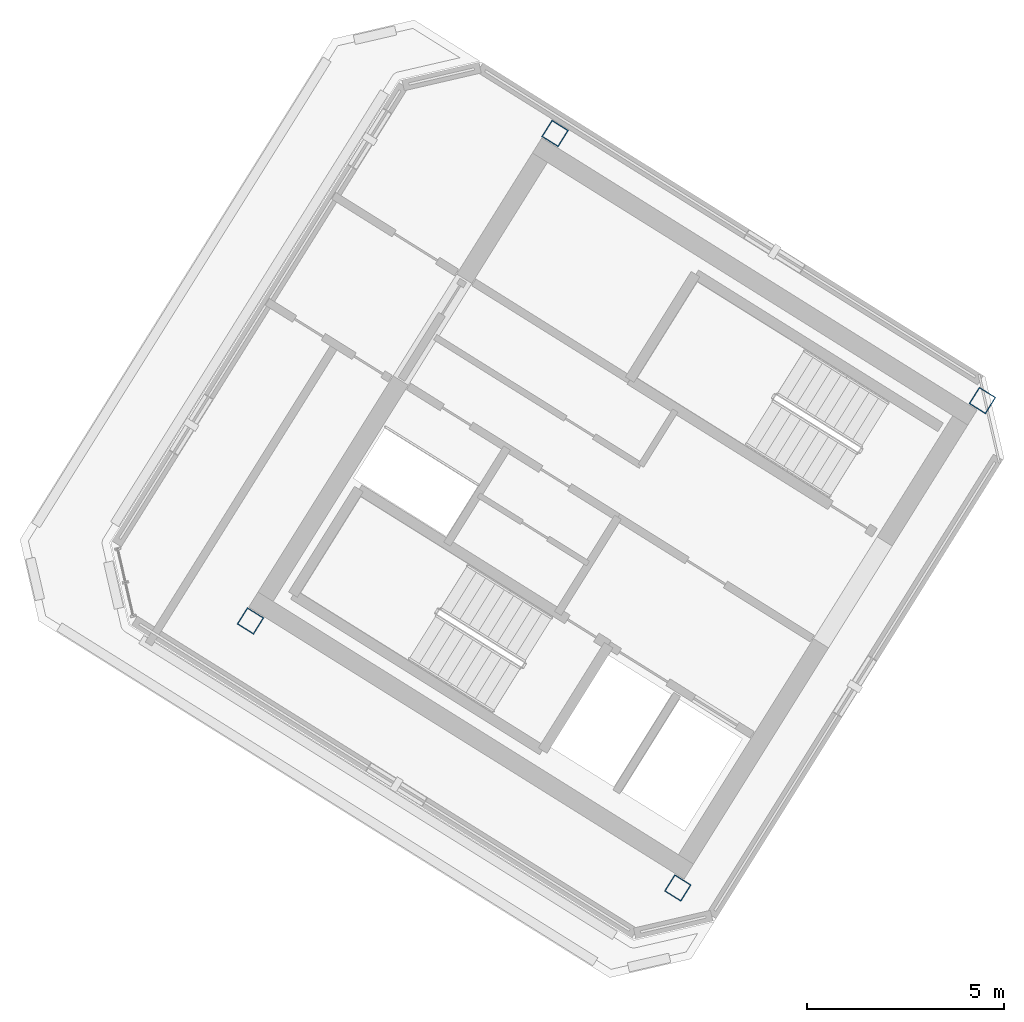
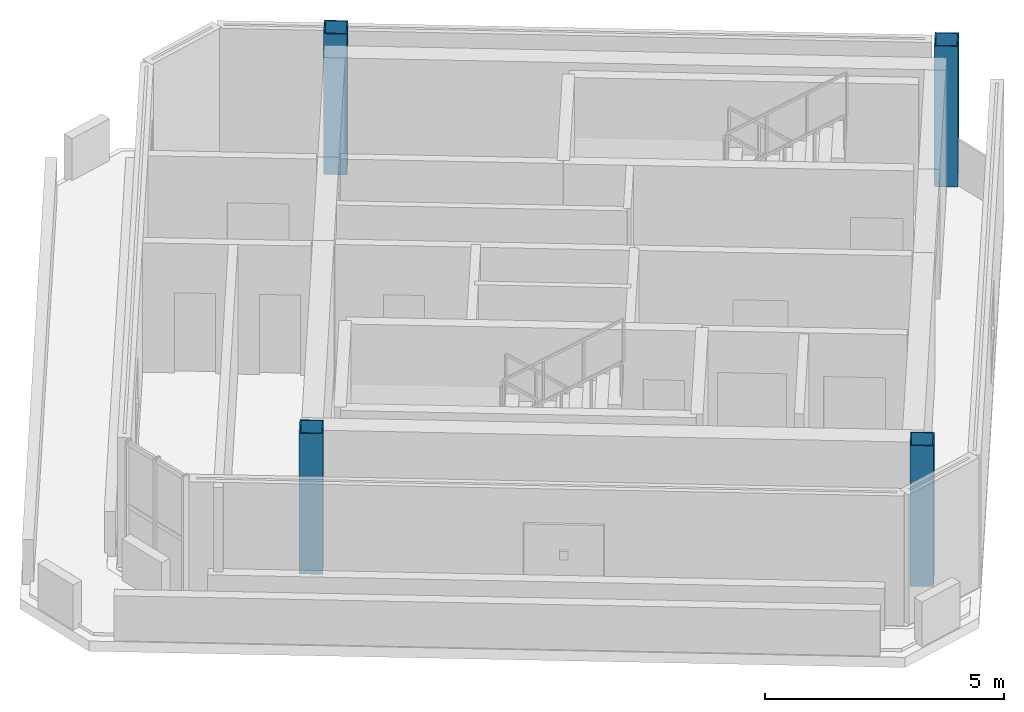
# One storey, part 1 of 6: 4 columns.
"""IFC4 building model written with IfcOpenShell, lengths in metres."""

from ifc_helpers import new_model, si_unit, direction, frame, origin, origin_2d, place, context, subcontext, project, spatial, hollow_rectangle, extrude, source, transform, mapped, material, material_profile, profile_set, type_object, element, save


model = new_model("IFC4")

# Units and contexts
model_context = context("Model", 3, precision=1e-05, world=origin(), true_north=direction((0.0, 1.0)))
body_context = subcontext(model_context, "Body", "Model", "MODEL_VIEW")
ifc_project = project(units=[si_unit("LENGTHUNIT", "METRE"), si_unit("AREAUNIT", "SQUARE_METRE"), si_unit("VOLUMEUNIT", "CUBIC_METRE"), si_unit("PLANEANGLEUNIT", "RADIAN"), si_unit("MASSUNIT", "GRAM", prefix="KILO")], contexts=[model_context])

# Site, building, storey
site_placement = place(None, origin())
site = spatial("IfcSite", under=ifc_project, at=site_placement, CompositionType="ELEMENT")
building_placement = place(site_placement, origin())
building = spatial("IfcBuilding", under=site, at=building_placement, Name="Tlacorven Tower", CompositionType="ELEMENT")
storey_placement = place(building_placement, frame((0.0, 0.0, 313.199951171875)))
storey = spatial("IfcBuildingStorey", under=building, at=storey_placement, Name="L80", CompositionType="ELEMENT", Elevation=313.199951171875)

# Columns
ifc_material = material(Name="Steel S355J2", Category="steel")
ifc_material_profile = material_profile(ifc_material, hollow_rectangle(XDim=0.5, YDim=0.5, WallThickness=0.02490234375, at=origin_2d()), Name="BOX 500X500X25")
ifc_profile_set = profile_set([ifc_material_profile], Name="Steel S355J2")
column_type = type_object("IfcColumnType", Name="COL-CRN-01", PredefinedType="COLUMN", material=ifc_profile_set)
shared_shape = source(origin(), body_context, "Body", "SweptSolid", [
    extrude(hollow_rectangle(XDim=0.5, YDim=0.5, WallThickness=0.02490234375, at=origin_2d()), origin(), (0.0, 0.0, 1.0), 3.60009765625),
])
for number, where, z_axis, x_axis, name in (
    (1, (40.782958984375, 24.468505859375, 0.0), (0.0, 0.0, 1.0), (-0.848048096156, 0.529919264233, 0.0), "L80 column COL-L80-CR11"),
    (2, (33.046142578125, 12.0869140625, 0.0), (0.0, 0.0, 1.0), (-0.848048096156, 0.529919264233, 0.0), "L80 column COL-L80-CR12"),
    (3, (29.927978515625, 31.25146484375, 0.0), (0.0, 0.0, 1.0), (-0.848048096156, 0.529919264233, 0.0), "L80 column COL-L80-CR21"),
    (4, (22.191162109375, 18.869873046875, 0.0), (0.0, 0.0, 1.0), (-0.848048096156, 0.529919264233, 0.0), "L80 column COL-L80-CR22"),
):
    element("IfcColumn", number, at=place(storey_placement, frame(where, z_axis=z_axis, x_axis=x_axis)), inside=storey, type_object=column_type, Name=name, PredefinedType="COLUMN", context=body_context, shape_type="MappedRepresentation", body=[
        mapped(shared_shape, transform((0.0, 0.0, 0.0), scale=1.0)),
    ])

save(model, "model.ifc")
